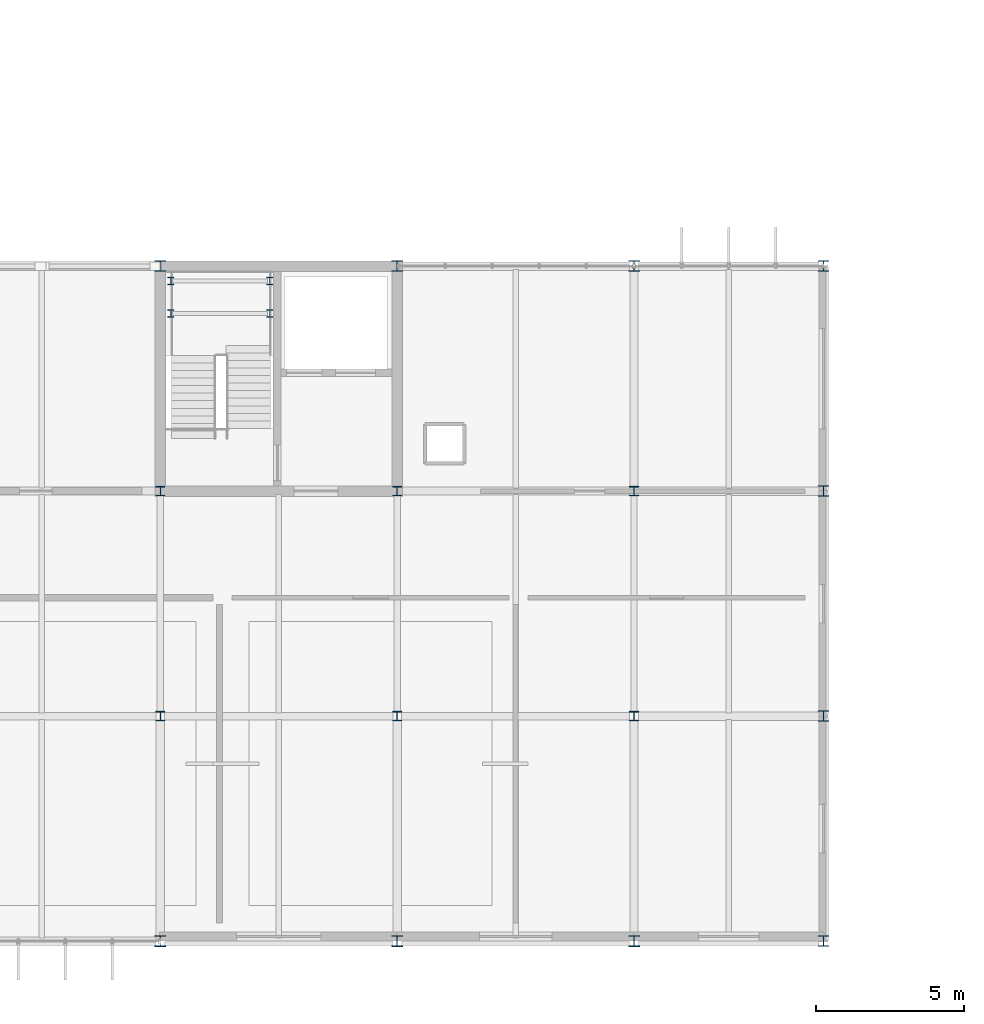
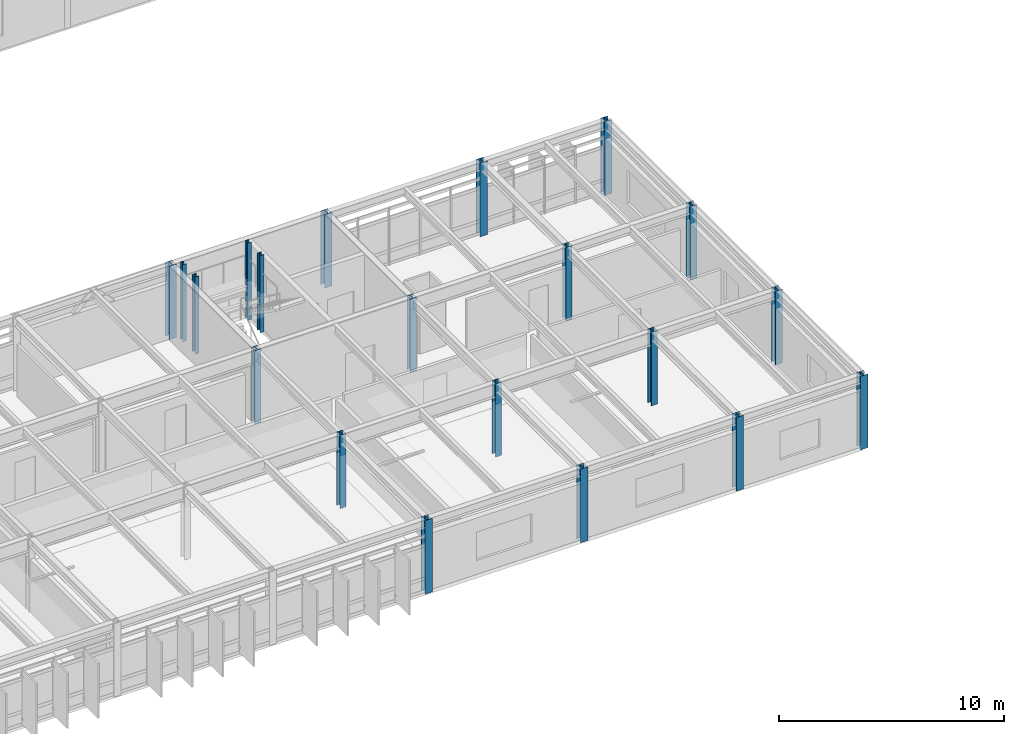
# One storey, part 3 of 33: 20 columns.
"""IFC4 building model written with IfcOpenShell, lengths in metres."""

from ifc_helpers import new_model, si_unit, direction, frame, origin, origin_2d, place, context, subcontext, project, spatial, i_section, extrude, material, material_profile, profile_set, type_object, element, save


model = new_model("IFC4")

# Units and contexts
model_context = context("Model", 3, precision=1e-05, world=origin(), true_north=direction((0.0, 1.0)))
body_context = subcontext(model_context, "Body", "Model", "MODEL_VIEW")
ifc_project = project(units=[si_unit("LENGTHUNIT", "METRE"), si_unit("AREAUNIT", "SQUARE_METRE"), si_unit("VOLUMEUNIT", "CUBIC_METRE"), si_unit("PLANEANGLEUNIT", "RADIAN"), si_unit("MASSUNIT", "GRAM", prefix="KILO")], contexts=[model_context])

# Site, building, storey
site_placement = place(None, origin())
site = spatial("IfcSite", under=ifc_project, at=site_placement, CompositionType="ELEMENT")
building_placement = place(site_placement, origin())
building = spatial("IfcBuilding", under=site, at=building_placement, Name="Zulena Civic Courthouse", CompositionType="ELEMENT")
storey_placement = place(building_placement, frame((0.0, 0.0, 33.60009765625)))
storey = spatial("IfcBuildingStorey", under=building, at=storey_placement, Name="L07", CompositionType="ELEMENT", Elevation=33.60009765625)

# Columns
ifc_material = material(Name="Steel ASTM A992 Grade 50", Category="steel")
ifc_material_profile_1 = material_profile(ifc_material, i_section(OverallWidth=0.2041015625, OverallDepth=0.257080078125, WebThickness=0.0087890625, FlangeThickness=0.015625, FilletRadius=0.0126953125, at=origin_2d()), Name="W10X45")
ifc_profile_set_1 = profile_set([ifc_material_profile_1], Name="Steel ASTM A992 Grade 50")
column_type_1 = type_object("IfcColumnType", Name="Col_W10X45", PredefinedType="COLUMN", material=ifc_profile_set_1)
for number, where, z_axis, x_axis, name in (
    (1, (44.360107421875, 21.199951171875, 0.0), (0.0, 0.0, 1.0), (1.0, 0.0, 0.0), "col:lnd:K2B:L07:0:0"),
    (2, (47.699951171875, 21.199951171875, 0.0), (0.0, 0.0, 1.0), (1.0, 0.0, 0.0), "col:lnd:K2B:L07:0:1"),
    (3, (44.360107421875, 22.300048828125, 0.0), (0.0, 0.0, 1.0), (1.0, 0.0, 0.0), "col:lnd:K2B:L07:1:0"),
    (4, (47.699951171875, 22.300048828125, 0.0), (0.0, 0.0, 1.0), (1.0, 0.0, 0.0), "col:lnd:K2B:L07:1:1"),
):
    element("IfcColumn", number, at=place(storey_placement, frame(where, z_axis=z_axis, x_axis=x_axis)), inside=storey, type_object=column_type_1, Name=name, PredefinedType="COLUMN", context=body_context, shape_type="SweptSolid", body=[
        extrude(i_section(OverallWidth=0.2041015625, OverallDepth=0.257080078125, WebThickness=0.0087890625, FlangeThickness=0.015625, FilletRadius=0.0126953125, at=origin_2d()), origin(), (0.0, 0.0, 1.0), 4.19482421875),
    ])
ifc_material_profile_2 = material_profile(ifc_material, i_section(OverallWidth=0.30908203125, OverallDepth=0.322998046875, WebThickness=0.013916015625, FlangeThickness=0.02294921875, FilletRadius=0.01513671875, at=origin_2d()), Name="W12X96")
ifc_profile_set_2 = profile_set([ifc_material_profile_2], Name="Steel ASTM A992 Grade 50")
column_type_2 = type_object("IfcColumnType", Name="Col_W12X96", PredefinedType="COLUMN", material=ifc_profile_set_2)
for number, where, z_axis, x_axis, name in (
    (5, (44.0, 7.60009765625, 0.0), (0.0, 0.0, 1.0), (1.0, 0.0, 0.0), "col:V2:L07:44.0:7.6"),
    (6, (44.0, 15.199951171875, 0.0), (0.0, 0.0, 1.0), (1.0, 0.0, 0.0), "col:V2:L07:44.0:15.2"),
    (7, (52.0, 7.60009765625, 0.0), (0.0, 0.0, 1.0), (1.0, 0.0, 0.0), "col:V2:L07:52.0:7.6"),
    (8, (52.0, 15.199951171875, 0.0), (0.0, 0.0, 1.0), (1.0, 0.0, 0.0), "col:V2:L07:52.0:15.2"),
    (9, (60.0, 7.60009765625, 0.0), (0.0, 0.0, 1.0), (1.0, 0.0, 0.0), "col:V2:L07:60.0:7.6"),
    (10, (60.0, 15.199951171875, 0.0), (0.0, 0.0, 1.0), (1.0, 0.0, 0.0), "col:V2:L07:60.0:15.2"),
):
    element("IfcColumn", number, at=place(storey_placement, frame(where, z_axis=z_axis, x_axis=x_axis)), inside=storey, type_object=column_type_2, Name=name, PredefinedType="COLUMN", context=body_context, shape_type="SweptSolid", body=[
        extrude(i_section(OverallWidth=0.30908203125, OverallDepth=0.322998046875, WebThickness=0.013916015625, FlangeThickness=0.02294921875, FilletRadius=0.01513671875, at=origin_2d()), origin(), (0.0, 0.0, 1.0), 4.0),
    ])
ifc_material_profile_3 = material_profile(ifc_material, i_section(OverallWidth=0.368896484375, OverallDepth=0.35595703125, WebThickness=0.01123046875, FlangeThickness=0.01806640625, FilletRadius=0.01513671875, at=origin_2d()), Name="W14X90")
ifc_profile_set_3 = profile_set([ifc_material_profile_3], Name="Steel ASTM A992 Grade 50")
column_type_3 = type_object("IfcColumnType", Name="Col_W14X90", PredefinedType="COLUMN", material=ifc_profile_set_3)
for number, where, z_axis, x_axis, name in (
    (11, (66.39990234375, 0.0, 0.0), (0.0, 0.0, 1.0), (1.0, 0.0, 0.0), "col:V2:L07:66.4:0.0"),
    (12, (66.39990234375, 7.60009765625, 0.0), (0.0, 0.0, 1.0), (1.0, 0.0, 0.0), "col:V2:L07:66.4:7.6"),
    (13, (66.39990234375, 15.199951171875, 0.0), (0.0, 0.0, 1.0), (1.0, 0.0, 0.0), "col:V2:L07:66.4:15.2"),
    (14, (66.39990234375, 22.800048828125, 0.0), (0.0, 0.0, 1.0), (1.0, 0.0, 0.0), "col:V2:L07:66.4:22.8"),
):
    element("IfcColumn", number, at=place(storey_placement, frame(where, z_axis=z_axis, x_axis=x_axis)), inside=storey, type_object=column_type_3, Name=name, PredefinedType="COLUMN", context=body_context, shape_type="SweptSolid", body=[
        extrude(i_section(OverallWidth=0.368896484375, OverallDepth=0.35595703125, WebThickness=0.01123046875, FlangeThickness=0.01806640625, FilletRadius=0.01513671875, at=origin_2d()), origin(), (0.0, 0.0, 1.0), 4.0),
    ])
ifc_material_profile_4 = material_profile(ifc_material, i_section(OverallWidth=0.3701171875, OverallDepth=0.360107421875, WebThickness=0.01220703125, FlangeThickness=0.019775390625, FilletRadius=0.01513671875, at=origin_2d()), Name="W14X99")
ifc_profile_set_4 = profile_set([ifc_material_profile_4], Name="Steel ASTM A992 Grade 50")
column_type_4 = type_object("IfcColumnType", Name="Col_W14X99", PredefinedType="COLUMN", material=ifc_profile_set_4)
for number, where, z_axis, x_axis, name in (
    (15, (44.0, 0.0, 0.0), (0.0, 0.0, 1.0), (1.0, 0.0, 0.0), "col:V2:L07:44.0:0.0"),
    (16, (44.0, 22.800048828125, 0.0), (0.0, 0.0, 1.0), (1.0, 0.0, 0.0), "col:V2:L07:44.0:22.8"),
    (17, (52.0, 0.0, 0.0), (0.0, 0.0, 1.0), (1.0, 0.0, 0.0), "col:V2:L07:52.0:0.0"),
    (18, (52.0, 22.800048828125, 0.0), (0.0, 0.0, 1.0), (1.0, 0.0, 0.0), "col:V2:L07:52.0:22.8"),
    (19, (60.0, 0.0, 0.0), (0.0, 0.0, 1.0), (1.0, 0.0, 0.0), "col:V2:L07:60.0:0.0"),
    (20, (60.0, 22.800048828125, 0.0), (0.0, 0.0, 1.0), (1.0, 0.0, 0.0), "col:V2:L07:60.0:22.8"),
):
    element("IfcColumn", number, at=place(storey_placement, frame(where, z_axis=z_axis, x_axis=x_axis)), inside=storey, type_object=column_type_4, Name=name, PredefinedType="COLUMN", context=body_context, shape_type="SweptSolid", body=[
        extrude(i_section(OverallWidth=0.3701171875, OverallDepth=0.360107421875, WebThickness=0.01220703125, FlangeThickness=0.019775390625, FilletRadius=0.01513671875, at=origin_2d()), origin(), (0.0, 0.0, 1.0), 4.0),
    ])

save(model, "model.ifc")
